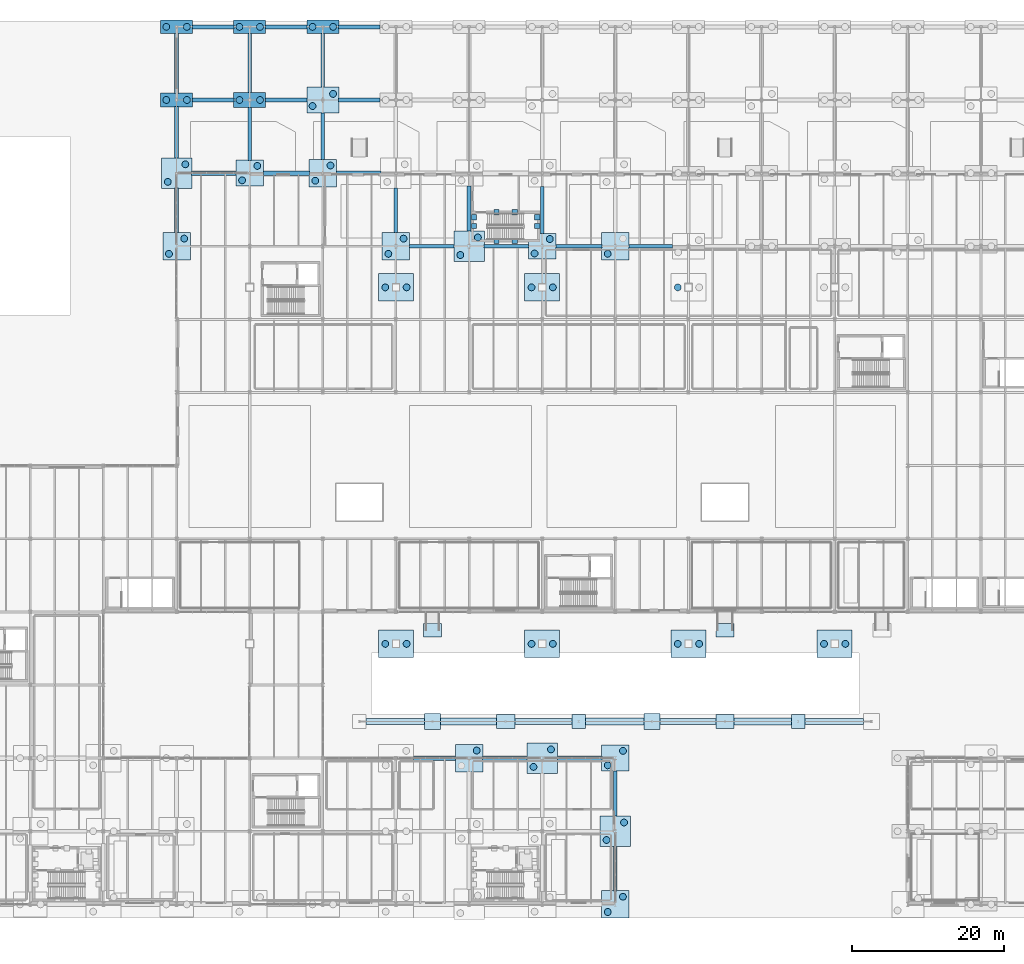
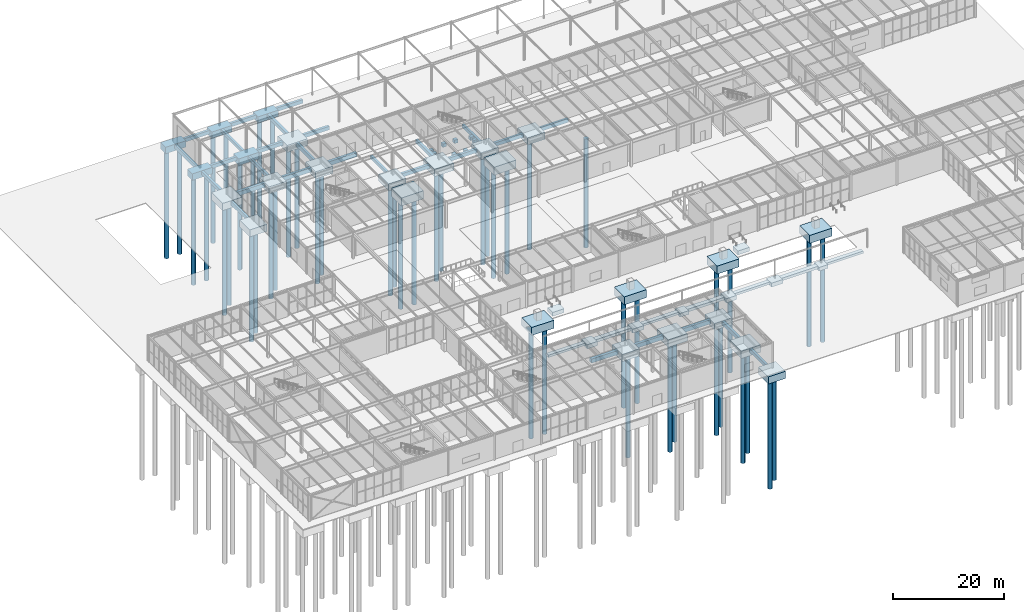
# One storey, part 2 of 142: 76 footings, 49 piles.
"""IFC4 building model written with IfcOpenShell, lengths in metres."""

from ifc_helpers import new_model, si_unit, direction, frame, origin, origin_2d, place, context, subcontext, project, spatial, rectangle, circle, extrude, material, material_profile, profile_set, type_object, element, save


model = new_model("IFC4")

# Units and contexts
model_context = context("Model", 3, precision=1e-05, world=origin(), true_north=direction((0.0, 1.0)))
body_context = subcontext(model_context, "Body", "Model", "MODEL_VIEW")
ifc_project = project(units=[si_unit("LENGTHUNIT", "METRE"), si_unit("AREAUNIT", "SQUARE_METRE"), si_unit("VOLUMEUNIT", "CUBIC_METRE"), si_unit("PLANEANGLEUNIT", "RADIAN"), si_unit("MASSUNIT", "GRAM", prefix="KILO")], contexts=[model_context])

# Site, building, storey
site_placement = place(None, origin())
site = spatial("IfcSite", under=ifc_project, at=site_placement, CompositionType="ELEMENT")
building_placement = place(site_placement, origin())
building = spatial("IfcBuilding", under=site, at=building_placement, Name="Coralgate Yard Interchange", CompositionType="ELEMENT")
storey_placement = place(building_placement, origin())
storey = spatial("IfcBuildingStorey", under=building, at=storey_placement, Name="L00", CompositionType="ELEMENT", Elevation=0.0)

# Footings
ifc_material_1 = material(Name="Concrete C40/50", Category="concrete")
ifc_material_profile_1 = material_profile(ifc_material_1, rectangle(XDim=0.60009765625, YDim=0.89990234375, at=origin_2d()), Name="RC 600x900")
ifc_profile_set_1 = profile_set([ifc_material_profile_1], Name="Concrete C40/50")
footing_type_1 = type_object("IfcFootingType", Name="FTG-GB-1", PredefinedType="FOOTING_BEAM", material=ifc_profile_set_1)
footing_1_placement = place(storey_placement, frame((40.3798828125, 96.0, -0.6298828125), z_axis=(1.0, 0.0, 0.0), x_axis=(0.0, 1.0, 0.0)))
element("IfcFooting", 1, at=footing_1_placement, inside=storey, type_object=footing_type_1, Name="Ground tie-beam X 4-10", PredefinedType="FOOTING_BEAM", context=body_context, shape_type="SweptSolid", body=[
    extrude(rectangle(XDim=0.60009765625, YDim=0.89990234375, at=origin_2d()), origin(), (0.0, 0.0, 1.0), 5.840087890625),
])
footing_2_placement = place(storey_placement, frame((49.780029296875, 96.0, -0.6298828125), z_axis=(1.0, 0.0, 0.0), x_axis=(0.0, 1.0, 0.0)))
element("IfcFooting", 2, at=footing_2_placement, inside=storey, type_object=footing_type_1, Name="Ground tie-beam X 5-10", PredefinedType="FOOTING_BEAM", context=body_context, shape_type="SweptSolid", body=[
    extrude(rectangle(XDim=0.60009765625, YDim=0.89990234375, at=origin_2d()), origin(), (0.0, 0.0, 1.0), 6.0400390625),
])
footing_3_placement = place(storey_placement, frame((59.3798828125, 96.0, -0.6298828125), z_axis=(1.0, 0.0, 0.0), x_axis=(0.0, 1.0, 0.0)))
element("IfcFooting", 3, at=footing_3_placement, inside=storey, type_object=footing_type_1, Name="Ground tie-beam X 6-10", PredefinedType="FOOTING_BEAM", context=body_context, shape_type="SweptSolid", body=[
    extrude(rectangle(XDim=0.60009765625, YDim=0.89990234375, at=origin_2d()), origin(), (0.0, 0.0, 1.0), 5.840087890625),
])
footing_4_placement = place(storey_placement, frame((69.47998046875, 19.199951171875, -0.800048828125), z_axis=(1.0, 0.0, 0.0), x_axis=(0.0, 1.0, 0.0)))
element("IfcFooting", 4, at=footing_4_placement, inside=storey, type_object=footing_type_1, Name="Ground tie-beam X 7-2", PredefinedType="FOOTING_BEAM", context=body_context, shape_type="SweptSolid", body=[
    extrude(rectangle(XDim=0.60009765625, YDim=0.89990234375, at=origin_2d()), origin(), (0.0, 0.0, 1.0), 5.5400390625),
])
footing_5_placement = place(storey_placement, frame((78.580078125, 19.199951171875, -0.800048828125), z_axis=(1.0, 0.0, 0.0), x_axis=(0.0, 1.0, 0.0)))
element("IfcFooting", 5, at=footing_5_placement, inside=storey, type_object=footing_type_1, Name="Ground tie-beam X 8-2", PredefinedType="FOOTING_BEAM", context=body_context, shape_type="SweptSolid", body=[
    extrude(rectangle(XDim=0.60009765625, YDim=0.89990234375, at=origin_2d()), origin(), (0.0, 0.0, 1.0), 5.83984375),
])
footing_6_placement = place(storey_placement, frame((88.3798828125, 19.199951171875, -0.800048828125), z_axis=(1.0, 0.0, 0.0), x_axis=(0.0, 1.0, 0.0)))
element("IfcFooting", 6, at=footing_6_placement, inside=storey, type_object=footing_type_1, Name="Ground tie-beam X 9-2", PredefinedType="FOOTING_BEAM", context=body_context, shape_type="SweptSolid", body=[
    extrude(rectangle(XDim=0.60009765625, YDim=0.89990234375, at=origin_2d()), origin(), (0.0, 0.0, 1.0), 5.840087890625),
])
ifc_material_profile_2 = material_profile(ifc_material_1, rectangle(XDim=0.5, YDim=0.800048828125, at=origin_2d()), Name="RC 500x800")
ifc_profile_set_2 = profile_set([ifc_material_profile_2], Name="Concrete C40/50")
footing_type_2 = type_object("IfcFootingType", Name="FTG-GB-2", PredefinedType="FOOTING_BEAM", material=ifc_profile_set_2)
footing_7_placement = place(storey_placement, frame((38.39990234375, 88.179931640625, -0.75), z_axis=(0.0, 1.0, 0.0), x_axis=(-1.0, 0.0, 0.0)))
element("IfcFooting", 7, at=footing_7_placement, inside=storey, type_object=footing_type_2, Name="Ground tie-beam Y 4-9", PredefinedType="FOOTING_BEAM", context=body_context, shape_type="SweptSolid", body=[
    extrude(rectangle(XDim=0.5, YDim=0.800048828125, at=origin_2d()), origin(), (0.0, 0.0, 1.0), 5.840087890625),
])
footing_8_placement = place(storey_placement, frame((38.39990234375, 97.97998046875, -0.580078125), z_axis=(0.0, 1.0, 0.0), x_axis=(-1.0, 0.0, 0.0)))
element("IfcFooting", 8, at=footing_8_placement, inside=storey, type_object=footing_type_2, Name="Ground tie-beam Y 4-10", PredefinedType="FOOTING_BEAM", context=body_context, shape_type="SweptSolid", body=[
    extrude(rectangle(XDim=0.5, YDim=0.800048828125, at=origin_2d()), origin(), (0.0, 0.0, 1.0), 6.739990234375),
])
footing_9_placement = place(storey_placement, frame((40.47998046875, 105.60009765625, -0.580078125), z_axis=(1.0, 0.0, 0.0), x_axis=(0.0, 1.0, 0.0)))
element("IfcFooting", 9, at=footing_9_placement, inside=storey, type_object=footing_type_2, Name="Ground tie-beam X 4-11", PredefinedType="FOOTING_BEAM", context=body_context, shape_type="SweptSolid", body=[
    extrude(rectangle(XDim=0.5, YDim=0.800048828125, at=origin_2d()), origin(), (0.0, 0.0, 1.0), 5.43994140625),
])
footing_10_placement = place(storey_placement, frame((38.39990234375, 106.47998046875, -0.580078125), z_axis=(0.0, 1.0, 0.0), x_axis=(-1.0, 0.0, 0.0)))
element("IfcFooting", 10, at=footing_10_placement, inside=storey, type_object=footing_type_2, Name="Ground tie-beam Y 4-11", PredefinedType="FOOTING_BEAM", context=body_context, shape_type="SweptSolid", body=[
    extrude(rectangle(XDim=0.5, YDim=0.800048828125, at=origin_2d()), origin(), (0.0, 0.0, 1.0), 7.840087890625),
])
for number, where, z_axis, x_axis, name in (
    (11, (40.47998046875, 115.199951171875, -0.580078125), (1.0, 0.0, 0.0), (0.0, 1.0, 0.0), "Ground tie-beam X 4-12"),
    (12, (50.080078125, 105.60009765625, -0.580078125), (1.0, 0.0, 0.0), (0.0, 1.0, 0.0), "Ground tie-beam X 5-11"),
    (13, (50.080078125, 115.199951171875, -0.580078125), (1.0, 0.0, 0.0), (0.0, 1.0, 0.0), "Ground tie-beam X 5-12"),
):
    element("IfcFooting", number, at=place(storey_placement, frame(where, z_axis=z_axis, x_axis=x_axis)), inside=storey, type_object=footing_type_2, Name=name, PredefinedType="FOOTING_BEAM", context=body_context, shape_type="SweptSolid", body=[
        extrude(rectangle(XDim=0.5, YDim=0.800048828125, at=origin_2d()), origin(), (0.0, 0.0, 1.0), 5.43994140625),
    ])
footing_11_placement = place(storey_placement, frame((57.60009765625, 97.780029296875, -0.580078125), z_axis=(0.0, 1.0, 0.0), x_axis=(-1.0, 0.0, 0.0)))
element("IfcFooting", 14, at=footing_11_placement, inside=storey, type_object=footing_type_2, Name="Ground tie-beam Y 6-10", PredefinedType="FOOTING_BEAM", context=body_context, shape_type="SweptSolid", body=[
    extrude(rectangle(XDim=0.5, YDim=0.800048828125, at=origin_2d()), origin(), (0.0, 0.0, 1.0), 6.139892578125),
])
footing_12_placement = place(storey_placement, frame((59.679931640625, 105.60009765625, -0.580078125), z_axis=(1.0, 0.0, 0.0), x_axis=(0.0, 1.0, 0.0)))
element("IfcFooting", 15, at=footing_12_placement, inside=storey, type_object=footing_type_2, Name="Ground tie-beam X 6-11", PredefinedType="FOOTING_BEAM", context=body_context, shape_type="SweptSolid", body=[
    extrude(rectangle(XDim=0.5, YDim=0.800048828125, at=origin_2d()), origin(), (0.0, 0.0, 1.0), 5.440185546875),
])
footing_13_placement = place(storey_placement, frame((57.60009765625, 107.280029296875, -0.580078125), z_axis=(0.0, 1.0, 0.0), x_axis=(-1.0, 0.0, 0.0)))
element("IfcFooting", 16, at=footing_13_placement, inside=storey, type_object=footing_type_2, Name="Ground tie-beam Y 6-11", PredefinedType="FOOTING_BEAM", context=body_context, shape_type="SweptSolid", body=[
    extrude(rectangle(XDim=0.5, YDim=0.800048828125, at=origin_2d()), origin(), (0.0, 0.0, 1.0), 7.0400390625),
])
footing_14_placement = place(storey_placement, frame((59.679931640625, 115.199951171875, -0.580078125), z_axis=(1.0, 0.0, 0.0), x_axis=(0.0, 1.0, 0.0)))
element("IfcFooting", 17, at=footing_14_placement, inside=storey, type_object=footing_type_2, Name="Ground tie-beam X 6-12", PredefinedType="FOOTING_BEAM", context=body_context, shape_type="SweptSolid", body=[
    extrude(rectangle(XDim=0.5, YDim=0.800048828125, at=origin_2d()), origin(), (0.0, 0.0, 1.0), 5.440185546875),
])
for number, where, z_axis, x_axis, name in (
    (18, (68.97998046875, 86.39990234375, -0.75), (1.0, 0.0, 0.0), (0.0, 1.0, 0.0), "Ground tie-beam X 7-9"),
    (19, (78.780029296875, 86.39990234375, -0.75), (1.0, 0.0, 0.0), (0.0, 1.0, 0.0), "Ground tie-beam X 8-9"),
):
    element("IfcFooting", number, at=place(storey_placement, frame(where, z_axis=z_axis, x_axis=x_axis)), inside=storey, type_object=footing_type_2, Name=name, PredefinedType="FOOTING_BEAM", context=body_context, shape_type="SweptSolid", body=[
        extrude(rectangle(XDim=0.5, YDim=0.800048828125, at=origin_2d()), origin(), (0.0, 0.0, 1.0), 5.840087890625),
    ])
footing_15_placement = place(storey_placement, frame((76.800048828125, 88.3798828125, -0.75), z_axis=(0.0, 1.0, 0.0), x_axis=(-1.0, 0.0, 0.0)))
element("IfcFooting", 20, at=footing_15_placement, inside=storey, type_object=footing_type_2, Name="Ground tie-beam Y 8-9", PredefinedType="FOOTING_BEAM", context=body_context, shape_type="SweptSolid", body=[
    extrude(rectangle(XDim=0.5, YDim=0.800048828125, at=origin_2d()), origin(), (0.0, 0.0, 1.0), 5.940185546875),
])
footing_16_placement = place(storey_placement, frame((88.179931640625, 86.39990234375, -0.75), z_axis=(1.0, 0.0, 0.0), x_axis=(0.0, 1.0, 0.0)))
element("IfcFooting", 21, at=footing_16_placement, inside=storey, type_object=footing_type_2, Name="Ground tie-beam X 9-9", PredefinedType="FOOTING_BEAM", context=body_context, shape_type="SweptSolid", body=[
    extrude(rectangle(XDim=0.5, YDim=0.800048828125, at=origin_2d()), origin(), (0.0, 0.0, 1.0), 6.0400390625),
])
footing_17_placement = place(storey_placement, frame((96.0, 1.780029296875, -0.75), z_axis=(0.0, 1.0, 0.0), x_axis=(-1.0, 0.0, 0.0)))
element("IfcFooting", 22, at=footing_17_placement, inside=storey, type_object=footing_type_2, Name="Ground tie-beam Y 10-0", PredefinedType="FOOTING_BEAM", context=body_context, shape_type="SweptSolid", body=[
    extrude(rectangle(XDim=0.5, YDim=0.800048828125, at=origin_2d()), origin(), (0.0, 0.0, 1.0), 5.840087890625),
])
footing_18_placement = place(storey_placement, frame((96.0, 11.580078125, -0.75), z_axis=(0.0, 1.0, 0.0), x_axis=(-1.0, 0.0, 0.0)))
element("IfcFooting", 23, at=footing_18_placement, inside=storey, type_object=footing_type_2, Name="Ground tie-beam Y 10-1", PredefinedType="FOOTING_BEAM", context=body_context, shape_type="SweptSolid", body=[
    extrude(rectangle(XDim=0.5, YDim=0.800048828125, at=origin_2d()), origin(), (0.0, 0.0, 1.0), 5.93994140625),
])
footing_19_placement = place(storey_placement, frame((97.780029296875, 86.39990234375, -0.75), z_axis=(1.0, 0.0, 0.0), x_axis=(0.0, 1.0, 0.0)))
element("IfcFooting", 24, at=footing_19_placement, inside=storey, type_object=footing_type_2, Name="Ground tie-beam X 10-9", PredefinedType="FOOTING_BEAM", context=body_context, shape_type="SweptSolid", body=[
    extrude(rectangle(XDim=0.5, YDim=0.800048828125, at=origin_2d()), origin(), (0.0, 0.0, 1.0), 5.739990234375),
])
ifc_material_profile_3 = material_profile(ifc_material_1, rectangle(XDim=0.449951171875, YDim=0.699951171875, at=origin_2d()), Name="RC 450x700")
ifc_profile_set_3 = profile_set([ifc_material_profile_3], Name="Concrete C40/50")
footing_type_3 = type_object("IfcFootingType", Name="FTG-GB-3", PredefinedType="FOOTING_BEAM", material=ifc_profile_set_3)
footing_20_placement = place(storey_placement, frame((48.0, 97.679931640625, -0.530029296875), z_axis=(0.0, 1.0, 0.0), x_axis=(-1.0, 0.0, 0.0)))
element("IfcFooting", 25, at=footing_20_placement, inside=storey, type_object=footing_type_3, Name="Ground tie-beam Y 5-10", PredefinedType="FOOTING_BEAM", context=body_context, shape_type="SweptSolid", body=[
    extrude(rectangle(XDim=0.449951171875, YDim=0.699951171875, at=origin_2d()), origin(), (0.0, 0.0, 1.0), 6.940185546875),
])
footing_21_placement = place(storey_placement, frame((48.0, 106.580078125, -0.530029296875), z_axis=(0.0, 1.0, 0.0), x_axis=(-1.0, 0.0, 0.0)))
element("IfcFooting", 26, at=footing_21_placement, inside=storey, type_object=footing_type_3, Name="Ground tie-beam Y 5-11", PredefinedType="FOOTING_BEAM", context=body_context, shape_type="SweptSolid", body=[
    extrude(rectangle(XDim=0.449951171875, YDim=0.699951171875, at=origin_2d()), origin(), (0.0, 0.0, 1.0), 7.739990234375),
])
footing_22_placement = place(storey_placement, frame((67.199951171875, 88.179931640625, -0.699951171875), z_axis=(0.0, 1.0, 0.0), x_axis=(-1.0, 0.0, 0.0)))
element("IfcFooting", 27, at=footing_22_placement, inside=storey, type_object=footing_type_3, Name="Ground tie-beam Y 7-9", PredefinedType="FOOTING_BEAM", context=body_context, shape_type="SweptSolid", body=[
    extrude(rectangle(XDim=0.449951171875, YDim=0.699951171875, at=origin_2d()), origin(), (0.0, 0.0, 1.0), 5.840087890625),
])
footing_23_placement = place(storey_placement, frame((86.39990234375, 88.080078125, -0.699951171875), z_axis=(0.0, 1.0, 0.0), x_axis=(-1.0, 0.0, 0.0)))
element("IfcFooting", 28, at=footing_23_placement, inside=storey, type_object=footing_type_3, Name="Ground tie-beam Y 9-9", PredefinedType="FOOTING_BEAM", context=body_context, shape_type="SweptSolid", body=[
    extrude(rectangle(XDim=0.449951171875, YDim=0.699951171875, at=origin_2d()), origin(), (0.0, 0.0, 1.0), 6.139892578125),
])
footing_type_4 = type_object("IfcFootingType", Name="FTG-PC-2A", PredefinedType="PILE_CAP", material=ifc_material_1)
for number, where, z_axis, x_axis, name in (
    (29, (38.39990234375, 105.60009765625, -1.579833984375), (0.0, 0.0, 1.0), (1.0, 0.0, 0.0), "Pile cap 4-11"),
    (30, (38.39990234375, 115.199951171875, -1.579833984375), (0.0, 0.0, 1.0), (1.0, 0.0, 0.0), "Pile cap 4-12"),
    (31, (48.0, 115.199951171875, -1.579833984375), (0.0, 0.0, 1.0), (1.0, 0.0, 0.0), "Pile cap 5-12"),
    (32, (57.60009765625, 115.199951171875, -1.579833984375), (0.0, 0.0, 1.0), (1.0, 0.0, 0.0), "Pile cap 6-12"),
):
    element("IfcFooting", number, at=place(storey_placement, frame(where, z_axis=z_axis, x_axis=x_axis)), inside=storey, type_object=footing_type_4, Name=name, PredefinedType="PILE_CAP", context=body_context, shape_type="SweptSolid", body=[
        extrude(rectangle(XDim=4.199951171875, YDim=1.800048828125, at=origin_2d()), origin(), (0.0, 0.0, 1.0), 1.39990234375),
    ])
footing_type_5 = type_object("IfcFootingType", Name="FTG-PC-2B", PredefinedType="PILE_CAP", material=ifc_material_1)
footing_24_placement = place(storey_placement, frame((48.0, 105.60009765625, -1.6298828125), z_axis=(0.0, 0.0, 1.0), x_axis=(1.0, 0.0, 0.0)))
element("IfcFooting", 33, at=footing_24_placement, inside=storey, type_object=footing_type_5, Name="Pile cap 5-11", PredefinedType="PILE_CAP", context=body_context, shape_type="SweptSolid", body=[
    extrude(rectangle(XDim=4.199951171875, YDim=2.0, at=origin_2d()), origin(), (0.0, 0.0, 1.0), 1.449951171875),
])
footing_type_6 = type_object("IfcFootingType", Name="FTG-PC-3A", PredefinedType="PILE_CAP", material=ifc_material_1)
footing_25_placement = place(storey_placement, frame((57.60009765625, 105.60009765625, -1.679931640625), z_axis=(0.0, 0.0, 1.0), x_axis=(1.0, 0.0, 0.0)))
element("IfcFooting", 34, at=footing_25_placement, inside=storey, type_object=footing_type_6, Name="Pile cap 6-11", PredefinedType="PILE_CAP", context=body_context, shape_type="SweptSolid", body=[
    extrude(rectangle(XDim=4.199951171875, YDim=3.39990234375, at=origin_2d()), origin(), (0.0, 0.0, 1.0), 1.5),
])
footing_type_7 = type_object("IfcFootingType", Name="FTG-PC-4A", PredefinedType="PILE_CAP", material=ifc_material_1)
for number, where, z_axis, x_axis, name in (
    (35, (48.0, 96.0, -1.679931640625), (0.0, 0.0, 1.0), (1.0, 0.0, 0.0), "Pile cap 5-10"),
    (36, (86.39990234375, 86.39990234375, -1.85009765625), (0.0, 0.0, 1.0), (1.0, 0.0, 0.0), "Pile cap 9-9"),
    (37, (96.0, 19.199951171875, -1.85009765625), (0.0, 0.0, 1.0), (1.0, 0.0, 0.0), "Pile cap 10-2"),
):
    element("IfcFooting", number, at=place(storey_placement, frame(where, z_axis=z_axis, x_axis=x_axis)), inside=storey, type_object=footing_type_7, Name=name, PredefinedType="PILE_CAP", context=body_context, shape_type="SweptSolid", body=[
        extrude(rectangle(XDim=3.60009765625, YDim=3.39990234375, at=origin_2d()), origin(), (0.0, 0.0, 1.0), 1.5),
    ])
footing_type_8 = type_object("IfcFootingType", Name="FTG-PC-4B", PredefinedType="PILE_CAP", material=ifc_material_1)
for number, where, z_axis, x_axis, name in (
    (38, (38.39990234375, 86.39990234375, -1.89990234375), (0.0, 0.0, 1.0), (1.0, 0.0, 0.0), "Pile cap 4-9"),
    (39, (57.60009765625, 96.0, -1.72998046875), (0.0, 0.0, 1.0), (1.0, 0.0, 0.0), "Pile cap 6-10"),
    (40, (67.199951171875, 86.39990234375, -1.89990234375), (0.0, 0.0, 1.0), (1.0, 0.0, 0.0), "Pile cap 7-9"),
    (41, (76.800048828125, 19.199951171875, -1.89990234375), (0.0, 0.0, 1.0), (1.0, 0.0, 0.0), "Pile cap 8-2"),
    (42, (96.0, 0.0, -1.89990234375), (0.0, 0.0, 1.0), (1.0, 0.0, 0.0), "Pile cap 10-0"),
    (43, (96.0, 86.39990234375, -1.89990234375), (0.0, 0.0, 1.0), (1.0, 0.0, 0.0), "Pile cap 10-9"),
):
    element("IfcFooting", number, at=place(storey_placement, frame(where, z_axis=z_axis, x_axis=x_axis)), inside=storey, type_object=footing_type_8, Name=name, PredefinedType="PILE_CAP", context=body_context, shape_type="SweptSolid", body=[
        extrude(rectangle(XDim=3.60009765625, YDim=3.60009765625, at=origin_2d()), origin(), (0.0, 0.0, 1.0), 1.550048828125),
    ])
footing_type_9 = type_object("IfcFootingType", Name="FTG-PC-4C", PredefinedType="PILE_CAP", material=ifc_material_1)
for number, where, z_axis, x_axis, name in (
    (44, (38.39990234375, 96.0, -1.780029296875), (0.0, 0.0, 1.0), (1.0, 0.0, 0.0), "Pile cap 4-10"),
    (45, (76.800048828125, 86.39990234375, -1.949951171875), (0.0, 0.0, 1.0), (1.0, 0.0, 0.0), "Pile cap 8-9"),
    (46, (86.39990234375, 19.199951171875, -1.949951171875), (0.0, 0.0, 1.0), (1.0, 0.0, 0.0), "Pile cap 9-2"),
    (47, (96.0, 9.60009765625, -1.949951171875), (0.0, 0.0, 1.0), (1.0, 0.0, 0.0), "Pile cap 10-1"),
):
    element("IfcFooting", number, at=place(storey_placement, frame(where, z_axis=z_axis, x_axis=x_axis)), inside=storey, type_object=footing_type_9, Name=name, PredefinedType="PILE_CAP", context=body_context, shape_type="SweptSolid", body=[
        extrude(rectangle(XDim=4.0, YDim=4.0, at=origin_2d()), origin(), (0.0, 0.0, 1.0), 1.60009765625),
    ])
footing_type_10 = type_object("IfcFootingType", Name="FTG-PC-6B", PredefinedType="PILE_CAP", material=ifc_material_1)
for number, where, z_axis, x_axis, name in (
    (48, (67.199951171875, 34.199951171875, -1.75), (0.0, 0.0, 1.0), (1.0, 0.0, 0.0), "Arch AR-2 S thrust pile cap"),
    (49, (67.199951171875, 81.0, -1.75), (0.0, 0.0, 1.0), (1.0, 0.0, 0.0), "Arch AR-2 N thrust pile cap"),
    (50, (86.39990234375, 34.199951171875, -1.75), (0.0, 0.0, 1.0), (1.0, 0.0, 0.0), "Arch AR-3 S thrust pile cap"),
    (51, (86.39990234375, 81.0, -1.75), (0.0, 0.0, 1.0), (1.0, 0.0, 0.0), "Arch AR-3 N thrust pile cap"),
    (52, (105.60009765625, 34.199951171875, -1.75), (0.0, 0.0, 1.0), (1.0, 0.0, 0.0), "Arch AR-4 S thrust pile cap"),
    (53, (124.800048828125, 34.199951171875, -1.75), (0.0, 0.0, 1.0), (1.0, 0.0, 0.0), "Arch AR-5 S thrust pile cap"),
):
    element("IfcFooting", number, at=place(storey_placement, frame(where, z_axis=z_axis, x_axis=x_axis)), inside=storey, type_object=footing_type_10, Name=name, PredefinedType="PILE_CAP", context=body_context, shape_type="SweptSolid", body=[
        extrude(rectangle(XDim=4.60009765625, YDim=3.60009765625, at=origin_2d()), origin(), (0.0, 0.0, 1.0), 1.75),
    ])
footing_type_11 = type_object("IfcFootingType", Name="FTG-PF-1", PredefinedType="PAD_FOOTING", material=ifc_material_1)
for number, where, z_axis, x_axis, name in (
    (54, (91.199951171875, 24.0, -0.97998046875), (0.0, 0.0, 1.0), (1.0, 0.0, 0.0), "Courtyard colonnade pad footing 4"),
    (55, (120.0, 24.0, -0.97998046875), (0.0, 0.0, 1.0), (1.0, 0.0, 0.0), "Courtyard colonnade pad footing 7"),
):
    element("IfcFooting", number, at=place(storey_placement, frame(where, z_axis=z_axis, x_axis=x_axis)), inside=storey, type_object=footing_type_11, Name=name, PredefinedType="PAD_FOOTING", context=body_context, shape_type="SweptSolid", body=[
        extrude(rectangle(XDim=1.800048828125, YDim=1.800048828125, at=origin_2d()), origin(), (0.0, 0.0, 1.0), 0.800048828125),
    ])
footing_type_12 = type_object("IfcFootingType", Name="FTG-PF-2", PredefinedType="PAD_FOOTING", material=ifc_material_1)
for number, where, z_axis, x_axis, name in (
    (56, (72.0, 24.0, -1.079833984375), (0.0, 0.0, 1.0), (1.0, 0.0, 0.0), "Courtyard colonnade pad footing 2"),
    (57, (100.800048828125, 24.0, -1.079833984375), (0.0, 0.0, 1.0), (1.0, 0.0, 0.0), "Courtyard colonnade pad footing 5"),
):
    element("IfcFooting", number, at=place(storey_placement, frame(where, z_axis=z_axis, x_axis=x_axis)), inside=storey, type_object=footing_type_12, Name=name, PredefinedType="PAD_FOOTING", context=body_context, shape_type="SweptSolid", body=[
        extrude(rectangle(XDim=2.10009765625, YDim=2.10009765625, at=origin_2d()), origin(), (0.0, 0.0, 1.0), 0.89990234375),
    ])
footing_type_13 = type_object("IfcFootingType", Name="FTG-PF-3", PredefinedType="PAD_FOOTING", material=ifc_material_1)
for number, where, z_axis, x_axis, name in (
    (58, (81.60009765625, 24.0, -1.030029296875), (0.0, 0.0, 1.0), (1.0, 0.0, 0.0), "Courtyard colonnade pad footing 3"),
    (59, (110.39990234375, 24.0, -1.030029296875), (0.0, 0.0, 1.0), (1.0, 0.0, 0.0), "Courtyard colonnade pad footing 6"),
    (60, (72.0, 36.0, -1.239990234375), (0.0, 0.0, 1.0), (1.0, 0.0, 0.0), "South courtyard west accessible ramp toe pad footing"),
    (61, (110.39990234375, 36.0, -1.239990234375), (0.0, 0.0, 1.0), (1.0, 0.0, 0.0), "South courtyard central accessible ramp toe pad footing"),
):
    element("IfcFooting", number, at=place(storey_placement, frame(where, z_axis=z_axis, x_axis=x_axis)), inside=storey, type_object=footing_type_13, Name=name, PredefinedType="PAD_FOOTING", context=body_context, shape_type="SweptSolid", body=[
        extrude(rectangle(XDim=2.39990234375, YDim=1.800048828125, at=origin_2d()), origin(), (0.0, 0.0, 1.0), 0.85009765625),
    ])
footing_type_14 = type_object("IfcFootingType", Name="FTG-PF-4", PredefinedType="PAD_FOOTING", material=ifc_material_1)
for number, where, z_axis, x_axis, name in (
    (62, (80.39990234375, 87.110107421875, -1.110107421875), (0.0, 0.0, 1.0), (1.0, 0.0, 0.0), "Core C9 shear-wall pad footing STS1"),
    (63, (82.800048828125, 87.110107421875, -1.110107421875), (0.0, 0.0, 1.0), (1.0, 0.0, 0.0), "Core C9 shear-wall pad footing STS2"),
    (64, (80.39990234375, 90.85009765625, -1.110107421875), (0.0, 0.0, 1.0), (1.0, 0.0, 0.0), "Core C9 shear-wall pad footing STN1"),
    (65, (82.800048828125, 90.85009765625, -1.110107421875), (0.0, 0.0, 1.0), (1.0, 0.0, 0.0), "Core C9 shear-wall pad footing STN2"),
    (66, (77.449951171875, 89.050048828125, -1.110107421875), (0.0, 0.0, 1.0), (1.0, 0.0, 0.0), "Core C9 shear-wall pad footing STW1"),
    (67, (77.449951171875, 90.199951171875, -1.110107421875), (0.0, 0.0, 1.0), (1.0, 0.0, 0.0), "Core C9 shear-wall pad footing STW2"),
    (68, (85.75, 89.050048828125, -1.110107421875), (0.0, 0.0, 1.0), (1.0, 0.0, 0.0), "Core C9 shear-wall pad footing STE1"),
    (69, (85.75, 90.199951171875, -1.110107421875), (0.0, 0.0, 1.0), (1.0, 0.0, 0.0), "Core C9 shear-wall pad footing STE2"),
):
    element("IfcFooting", number, at=place(storey_placement, frame(where, z_axis=z_axis, x_axis=x_axis)), inside=storey, type_object=footing_type_14, Name=name, PredefinedType="PAD_FOOTING", context=body_context, shape_type="SweptSolid", body=[
        extrude(rectangle(XDim=0.699951171875, YDim=0.699951171875, at=origin_2d()), origin(), (0.0, 0.0, 1.0), 0.75),
    ])
ifc_material_profile_4 = material_profile(ifc_material_1, rectangle(XDim=0.800048828125, YDim=0.5, at=origin_2d()), Name="RC 800x500")
ifc_profile_set_4 = profile_set([ifc_material_profile_4], Name="Concrete C40/50")
footing_type_15 = type_object("IfcFootingType", Name="FTG-SF-1", PredefinedType="STRIP_FOOTING", material=ifc_profile_set_4)
footing_26_placement = place(storey_placement, frame((63.280029296875, 24.0, -0.429931640625), z_axis=(1.0, 0.0, 0.0), x_axis=(0.0, 1.0, 0.0)))
element("IfcFooting", 70, at=footing_26_placement, inside=storey, type_object=footing_type_15, Name="Courtyard colonnade strip footing 1", PredefinedType="STRIP_FOOTING", context=body_context, shape_type="SweptSolid", body=[
    extrude(rectangle(XDim=0.800048828125, YDim=0.5, at=origin_2d()), origin(), (0.0, 0.0, 1.0), 7.68994140625),
])
footing_27_placement = place(storey_placement, frame((82.780029296875, 24.0, -0.429931640625), z_axis=(1.0, 0.0, 0.0), x_axis=(0.0, 1.0, 0.0)))
element("IfcFooting", 71, at=footing_27_placement, inside=storey, type_object=footing_type_15, Name="Courtyard colonnade strip footing 3", PredefinedType="STRIP_FOOTING", context=body_context, shape_type="SweptSolid", body=[
    extrude(rectangle(XDim=0.800048828125, YDim=0.5, at=origin_2d()), origin(), (0.0, 0.0, 1.0), 7.5400390625),
])
footing_28_placement = place(storey_placement, frame((101.830078125, 24.0, -0.429931640625), z_axis=(1.0, 0.0, 0.0), x_axis=(0.0, 1.0, 0.0)))
element("IfcFooting", 72, at=footing_28_placement, inside=storey, type_object=footing_type_15, Name="Courtyard colonnade strip footing 5", PredefinedType="STRIP_FOOTING", context=body_context, shape_type="SweptSolid", body=[
    extrude(rectangle(XDim=0.800048828125, YDim=0.5, at=origin_2d()), origin(), (0.0, 0.0, 1.0), 7.389892578125),
])
footing_29_placement = place(storey_placement, frame((120.8798828125, 24.0, -0.429931640625), z_axis=(1.0, 0.0, 0.0), x_axis=(0.0, 1.0, 0.0)))
element("IfcFooting", 73, at=footing_29_placement, inside=storey, type_object=footing_type_15, Name="Courtyard colonnade strip footing 7", PredefinedType="STRIP_FOOTING", context=body_context, shape_type="SweptSolid", body=[
    extrude(rectangle(XDim=0.800048828125, YDim=0.5, at=origin_2d()), origin(), (0.0, 0.0, 1.0), 7.690185546875),
])
ifc_material_profile_5 = material_profile(ifc_material_1, rectangle(XDim=0.89990234375, YDim=0.60009765625, at=origin_2d()), Name="RC 900x600")
ifc_profile_set_5 = profile_set([ifc_material_profile_5], Name="Concrete C40/50")
footing_type_16 = type_object("IfcFootingType", Name="FTG-SF-2", PredefinedType="STRIP_FOOTING", material=ifc_profile_set_5)
footing_30_placement = place(storey_placement, frame((73.030029296875, 24.0, -0.47998046875), z_axis=(1.0, 0.0, 0.0), x_axis=(0.0, 1.0, 0.0)))
element("IfcFooting", 74, at=footing_30_placement, inside=storey, type_object=footing_type_16, Name="Courtyard colonnade strip footing 2", PredefinedType="STRIP_FOOTING", context=body_context, shape_type="SweptSolid", body=[
    extrude(rectangle(XDim=0.89990234375, YDim=0.60009765625, at=origin_2d()), origin(), (0.0, 0.0, 1.0), 7.389892578125),
])
footing_31_placement = place(storey_placement, frame((92.080078125, 24.0, -0.47998046875), z_axis=(1.0, 0.0, 0.0), x_axis=(0.0, 1.0, 0.0)))
element("IfcFooting", 75, at=footing_31_placement, inside=storey, type_object=footing_type_16, Name="Courtyard colonnade strip footing 4", PredefinedType="STRIP_FOOTING", context=body_context, shape_type="SweptSolid", body=[
    extrude(rectangle(XDim=0.89990234375, YDim=0.60009765625, at=origin_2d()), origin(), (0.0, 0.0, 1.0), 7.68994140625),
])
footing_32_placement = place(storey_placement, frame((111.580078125, 24.0, -0.47998046875), z_axis=(1.0, 0.0, 0.0), x_axis=(0.0, 1.0, 0.0)))
element("IfcFooting", 76, at=footing_32_placement, inside=storey, type_object=footing_type_16, Name="Courtyard colonnade strip footing 6", PredefinedType="STRIP_FOOTING", context=body_context, shape_type="SweptSolid", body=[
    extrude(rectangle(XDim=0.89990234375, YDim=0.60009765625, at=origin_2d()), origin(), (0.0, 0.0, 1.0), 7.5400390625),
])

# Piles
ifc_material_2 = material(Name="Concrete C35/45", Category="concrete")
ifc_material_profile_6 = material_profile(ifc_material_2, circle(Radius=0.449951171875, at=origin_2d()), Name="BORED PILE D900")
ifc_profile_set_6 = profile_set([ifc_material_profile_6], Name="Concrete C35/45")
pile_type = type_object("IfcPileType", Name="PILE-P-900", PredefinedType="BORED", material=ifc_profile_set_6)
for number, where, z_axis, x_axis, name in (
    (77, (37.39990234375, 85.39990234375, -1.800048828125), (0.0, 0.0, -1.0), (1.0, 0.0, 0.0), "Bored pile 4-9-1"),
    (78, (39.39990234375, 87.39990234375, -1.800048828125), (0.0, 0.0, -1.0), (1.0, 0.0, 0.0), "Bored pile 4-9-2"),
    (79, (37.25, 94.85009765625, -1.679931640625), (0.0, 0.0, -1.0), (1.0, 0.0, 0.0), "Bored pile 4-10-1"),
    (80, (39.550048828125, 97.14990234375, -1.679931640625), (0.0, 0.0, -1.0), (1.0, 0.0, 0.0), "Bored pile 4-10-2"),
    (81, (37.050048828125, 105.60009765625, -1.47998046875), (0.0, 0.0, -1.0), (1.0, 0.0, 0.0), "Bored pile 4-11-1"),
    (82, (39.75, 105.60009765625, -1.47998046875), (0.0, 0.0, -1.0), (1.0, 0.0, 0.0), "Bored pile 4-11-2"),
    (83, (37.050048828125, 115.199951171875, -1.47998046875), (0.0, 0.0, -1.0), (1.0, 0.0, 0.0), "Bored pile 4-12-1"),
    (84, (39.75, 115.199951171875, -1.47998046875), (0.0, 0.0, -1.0), (1.0, 0.0, 0.0), "Bored pile 4-12-2"),
    (85, (47.0, 95.050048828125, -1.580078125), (0.0, 0.0, -1.0), (1.0, 0.0, 0.0), "Bored pile 5-10-1"),
    (86, (49.0, 96.949951171875, -1.580078125), (0.0, 0.0, -1.0), (1.0, 0.0, 0.0), "Bored pile 5-10-2"),
    (87, (46.64990234375, 105.60009765625, -1.530029296875), (0.0, 0.0, -1.0), (1.0, 0.0, 0.0), "Bored pile 5-11-1"),
    (88, (49.35009765625, 105.60009765625, -1.530029296875), (0.0, 0.0, -1.0), (1.0, 0.0, 0.0), "Bored pile 5-11-2"),
    (89, (46.64990234375, 115.199951171875, -1.47998046875), (0.0, 0.0, -1.0), (1.0, 0.0, 0.0), "Bored pile 5-12-1"),
    (90, (49.35009765625, 115.199951171875, -1.47998046875), (0.0, 0.0, -1.0), (1.0, 0.0, 0.0), "Bored pile 5-12-2"),
    (91, (56.60009765625, 95.0, -1.6298828125), (0.0, 0.0, -1.0), (1.0, 0.0, 0.0), "Bored pile 6-10-1"),
    (92, (58.60009765625, 97.0, -1.6298828125), (0.0, 0.0, -1.0), (1.0, 0.0, 0.0), "Bored pile 6-10-2"),
    (93, (56.25, 104.800048828125, -1.580078125), (0.0, 0.0, -1.0), (1.0, 0.0, 0.0), "Bored pile 6-11-1"),
    (94, (58.949951171875, 106.39990234375, -1.580078125), (0.0, 0.0, -1.0), (1.0, 0.0, 0.0), "Bored pile 6-11-2"),
    (95, (56.25, 115.199951171875, -1.47998046875), (0.0, 0.0, -1.0), (1.0, 0.0, 0.0), "Bored pile 6-12-1"),
    (96, (58.949951171875, 115.199951171875, -1.47998046875), (0.0, 0.0, -1.0), (1.0, 0.0, 0.0), "Bored pile 6-12-2"),
    (97, (66.199951171875, 85.39990234375, -1.800048828125), (0.0, 0.0, -1.0), (1.0, 0.0, 0.0), "Bored pile 7-9-1"),
    (98, (68.199951171875, 87.39990234375, -1.800048828125), (0.0, 0.0, -1.0), (1.0, 0.0, 0.0), "Bored pile 7-9-2"),
    (99, (77.800048828125, 20.199951171875, -1.800048828125), (0.0, 0.0, -1.0), (1.0, 0.0, 0.0), "Bored pile 8-2-2"),
    (100, (75.64990234375, 85.25, -1.85009765625), (0.0, 0.0, -1.0), (1.0, 0.0, 0.0), "Bored pile 8-9-1"),
    (101, (77.949951171875, 87.550048828125, -1.85009765625), (0.0, 0.0, -1.0), (1.0, 0.0, 0.0), "Bored pile 8-9-2"),
    (102, (85.25, 18.050048828125, -1.85009765625), (0.0, 0.0, -1.0), (1.0, 0.0, 0.0), "Bored pile 9-2-1"),
    (103, (87.550048828125, 20.35009765625, -1.85009765625), (0.0, 0.0, -1.0), (1.0, 0.0, 0.0), "Bored pile 9-2-2"),
    (104, (85.39990234375, 85.449951171875, -1.75), (0.0, 0.0, -1.0), (1.0, 0.0, 0.0), "Bored pile 9-9-1"),
    (105, (87.39990234375, 87.35009765625, -1.75), (0.0, 0.0, -1.0), (1.0, 0.0, 0.0), "Bored pile 9-9-2"),
    (106, (95.0, -1.0, -1.800048828125), (0.0, 0.0, -1.0), (1.0, 0.0, 0.0), "Bored pile 10-0-1"),
    (107, (97.0, 1.0, -1.800048828125), (0.0, 0.0, -1.0), (1.0, 0.0, 0.0), "Bored pile 10-0-2"),
    (108, (94.85009765625, 8.449951171875, -1.85009765625), (0.0, 0.0, -1.0), (1.0, 0.0, 0.0), "Bored pile 10-1-1"),
    (109, (97.14990234375, 10.75, -1.85009765625), (0.0, 0.0, -1.0), (1.0, 0.0, 0.0), "Bored pile 10-1-2"),
    (110, (95.0, 18.25, -1.75), (0.0, 0.0, -1.0), (1.0, 0.0, 0.0), "Bored pile 10-2-1"),
    (111, (97.0, 20.14990234375, -1.75), (0.0, 0.0, -1.0), (1.0, 0.0, 0.0), "Bored pile 10-2-2"),
    (112, (95.0, 85.39990234375, -1.800048828125), (0.0, 0.0, -1.0), (1.0, 0.0, 0.0), "Bored pile 10-9-1"),
):
    element("IfcPile", number, at=place(storey_placement, frame(where, z_axis=z_axis, x_axis=x_axis)), inside=storey, type_object=pile_type, Name=name, PredefinedType="BORED", context=body_context, shape_type="SweptSolid", body=[
        extrude(circle(Radius=0.449951171875, at=origin_2d()), origin(), (0.0, 0.0, 1.0), 23.60009765625),
    ])
for number, where, z_axis, x_axis, name in (
    (113, (65.800048828125, 34.199951171875, -1.64990234375), (0.0, 0.0, -1.0), (1.0, 0.0, 0.0), "Arch AR-2 S bored pile 1"),
    (114, (68.60009765625, 34.199951171875, -1.64990234375), (0.0, 0.0, -1.0), (1.0, 0.0, 0.0), "Arch AR-2 S bored pile 2"),
    (115, (65.800048828125, 81.0, -1.64990234375), (0.0, 0.0, -1.0), (1.0, 0.0, 0.0), "Arch AR-2 N bored pile 1"),
    (116, (68.60009765625, 81.0, -1.64990234375), (0.0, 0.0, -1.0), (1.0, 0.0, 0.0), "Arch AR-2 N bored pile 2"),
    (117, (85.0, 34.199951171875, -1.64990234375), (0.0, 0.0, -1.0), (1.0, 0.0, 0.0), "Arch AR-3 S bored pile 1"),
    (118, (87.800048828125, 34.199951171875, -1.64990234375), (0.0, 0.0, -1.0), (1.0, 0.0, 0.0), "Arch AR-3 S bored pile 2"),
    (119, (85.0, 81.0, -1.64990234375), (0.0, 0.0, -1.0), (1.0, 0.0, 0.0), "Arch AR-3 N bored pile 1"),
    (120, (87.800048828125, 81.0, -1.64990234375), (0.0, 0.0, -1.0), (1.0, 0.0, 0.0), "Arch AR-3 N bored pile 2"),
    (121, (104.199951171875, 34.199951171875, -1.64990234375), (0.0, 0.0, -1.0), (1.0, 0.0, 0.0), "Arch AR-4 S bored pile 1"),
    (122, (107.0, 34.199951171875, -1.64990234375), (0.0, 0.0, -1.0), (1.0, 0.0, 0.0), "Arch AR-4 S bored pile 2"),
    (123, (104.199951171875, 81.0, -1.64990234375), (0.0, 0.0, -1.0), (1.0, 0.0, 0.0), "Arch AR-4 N bored pile 1"),
    (124, (123.39990234375, 34.199951171875, -1.64990234375), (0.0, 0.0, -1.0), (1.0, 0.0, 0.0), "Arch AR-5 S bored pile 1"),
    (125, (126.199951171875, 34.199951171875, -1.64990234375), (0.0, 0.0, -1.0), (1.0, 0.0, 0.0), "Arch AR-5 S bored pile 2"),
):
    element("IfcPile", number, at=place(storey_placement, frame(where, z_axis=z_axis, x_axis=x_axis)), inside=storey, type_object=pile_type, Name=name, PredefinedType="BORED", context=body_context, shape_type="SweptSolid", body=[
        extrude(circle(Radius=0.449951171875, at=origin_2d()), origin(), (0.0, 0.0, 1.0), 23.85009765625),
    ])

save(model, "model.ifc")
